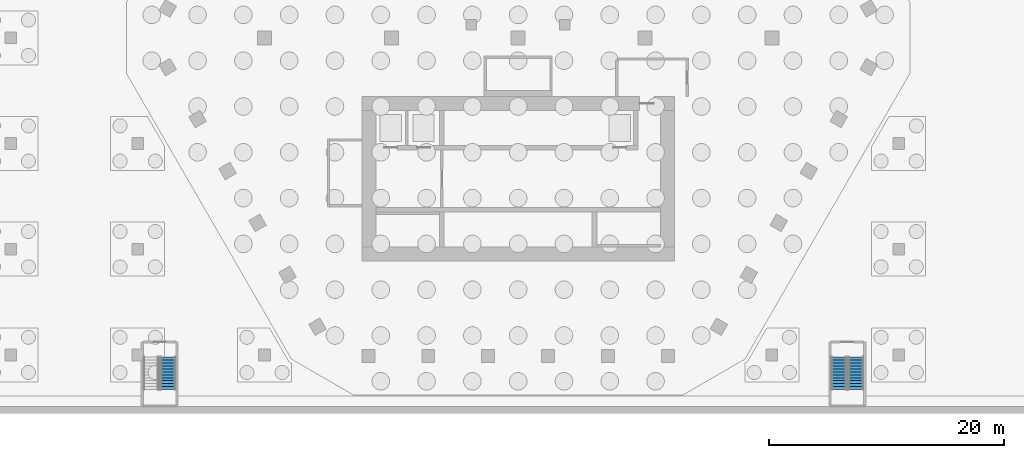
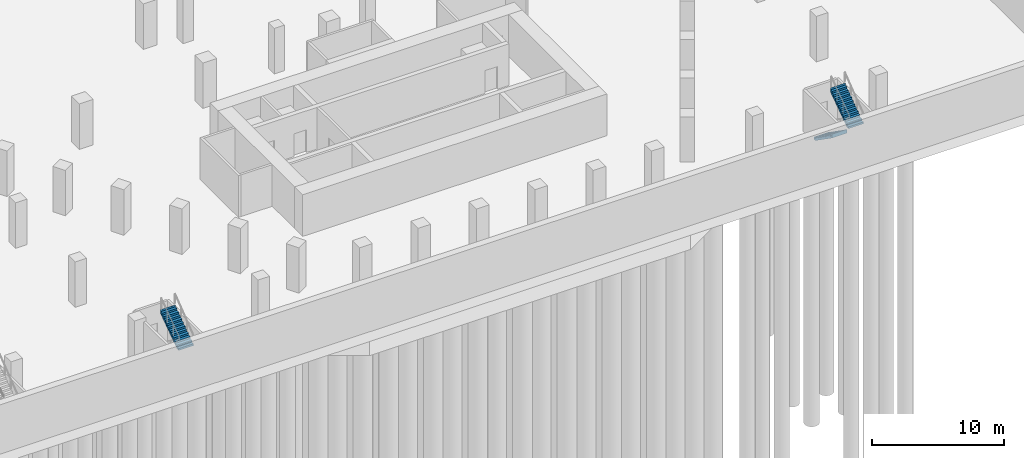
# One storey, part 13 of 21: 3 stair flights, 2 elements without a shape of their own.
"""IFC4 building model written with IfcOpenShell, lengths in metres."""

import ifcopenshell
import ifcopenshell.guid

model = None  # the IFC model being written
_history = None  # IfcOwnerHistory: only IFC2X3 demands one
_inside = {}  # id of a spatial element -> (the spatial element, [elements in it])
_under = {}  # id of a project, library or spatial element -> (it, [spatial elements below it])
_declared = {}  # id of a project -> (the project, [libraries it declares])
_typed = {}  # id of a type object -> (the type object, [elements of that type])
_made_of = {}  # id of a material, layer set ... -> (it, [elements and type objects made of it])


def new_model(schema):
    """Start an empty IFC model of exactly this schema.

    Asked for "IFC4X3", IfcOpenShell would pick the latest addendum, in which some entities
    have other attributes; the version numbers below select the first issue.
    IFC2X3 requires an IfcOwnerHistory on every rooted entity: one is made here for all.
    """
    global model, _history
    if schema == "IFC4X3":
        model = ifcopenshell.file(schema_version=(4, 3, 0, 0))
    else:
        model = ifcopenshell.file(schema=schema)
    _inside.clear()
    _under.clear()
    _declared.clear()
    _typed.clear()
    _made_of.clear()
    _history = None
    if model.schema == "IFC2X3":
        org = make("IfcOrganization", Name="unknown")
        user = make(
            "IfcPersonAndOrganization",
            ThePerson=make("IfcPerson", FamilyName="unknown"),
            TheOrganization=org,
        )
        app = make(
            "IfcApplication",
            ApplicationDeveloper=org,
            Version="unknown",
            ApplicationFullName="unknown",
            ApplicationIdentifier="unknown",
        )
        _history = make(
            "IfcOwnerHistory",
            OwningUser=user,
            OwningApplication=app,
            ChangeAction="ADDED",
            CreationDate=0,
        )
    return model


def make(cls, **values):
    """One entity of the class cls with the attributes given. An attribute that is None is left unset."""
    return model.create_entity(
        cls, **{name: value for name, value in values.items() if value is not None}
    )


def rooted(cls, **values):
    """An entity with a GlobalId (a new one), such as an element, a storey or a relation."""
    return make(cls, GlobalId=ifcopenshell.guid.new(), OwnerHistory=_history, **values)


def si_unit(unit_type, name, prefix=None):
    """IfcSIUnit, for example si_unit("LENGTHUNIT", "METRE", prefix="MILLI")."""
    return make("IfcSIUnit", UnitType=unit_type, Prefix=prefix, Name=name)


def assignment(units):
    """IfcUnitAssignment: the units of a project."""
    return None if units is None else make("IfcUnitAssignment", Units=units)


def point(xyz):
    """IfcCartesianPoint."""
    return None if xyz is None else make("IfcCartesianPoint", Coordinates=xyz)


def direction(xyz):
    """IfcDirection."""
    return None if xyz is None else make("IfcDirection", DirectionRatios=xyz)


def frame(location, z_axis=None, x_axis=None):
    """IfcAxis2Placement3D, a coordinate frame: its origin and axes. An axis left out is left unset."""
    return make(
        "IfcAxis2Placement3D",
        Location=point(location),
        Axis=direction(z_axis),
        RefDirection=direction(x_axis),
    )


def origin():
    """The frame at (0, 0, 0) with its axes left unset."""
    return frame((0.0, 0.0, 0.0))


def place(relative_to, where):
    """IfcLocalPlacement: puts the frame where relative to a parent placement (None: the world)."""
    return make(
        "IfcLocalPlacement", PlacementRelTo=relative_to, RelativePlacement=where
    )


def context(
    kind, dimensions, precision=None, world=None, true_north=None, identifier=None
):
    """IfcGeometricRepresentationContext, for example the 3D "Model" context."""
    return make(
        "IfcGeometricRepresentationContext",
        ContextIdentifier=identifier,
        ContextType=kind,
        CoordinateSpaceDimension=dimensions,
        Precision=precision,
        WorldCoordinateSystem=world,
        TrueNorth=true_north,
    )


def subcontext(parent, identifier, kind, view, scale=None):
    """IfcGeometricRepresentationSubContext, for example "Body" below "Model"."""
    return make(
        "IfcGeometricRepresentationSubContext",
        ContextIdentifier=identifier,
        ContextType=kind,
        ParentContext=parent,
        TargetScale=scale,
        TargetView=view,
    )


def project(units=None, contexts=None):
    """IfcProject with its units and contexts."""
    return rooted(
        "IfcProject",
        Name="project",
        RepresentationContexts=contexts,
        UnitsInContext=assignment(units),
    )


def spatial(cls, under=None, at=None, **own):
    """A site, building, storey or space (cls), placed at a placement, below another one or the project."""
    s = rooted(cls, ObjectPlacement=at, **own)
    if under is not None:
        _under.setdefault(under.id(), (under, []))[1].append(s)
    return s


def point_list(points):
    """IfcCartesianPointList2D or 3D."""
    cls = (
        "IfcCartesianPointList2D" if len(points[0]) == 2 else "IfcCartesianPointList3D"
    )
    return make(cls, CoordList=points)


def triangles(points, corners, closed=None, point_numbers=None):
    """IfcTriangulatedFaceSet: each triangle names its three corners, points numbered from 1."""
    return make(
        "IfcTriangulatedFaceSet",
        Coordinates=point_list(points),
        Closed=closed,
        CoordIndex=corners,
        PnIndex=point_numbers,
    )


def shape(context_of_items, identifier, shape_type, items):
    """IfcShapeRepresentation: the items that make up one representation, for example the "Body"."""
    return make(
        "IfcShapeRepresentation",
        ContextOfItems=context_of_items,
        RepresentationIdentifier=identifier,
        RepresentationType=shape_type,
        Items=items,
    )


def material(Name=None, Category=None):
    """IfcMaterial."""
    return make("IfcMaterial", Name=Name, Category=Category)


def made_of(thing, what):
    """Note that an element or type object is made of a material, layer set ...; save() writes the relation."""
    if what is not None:
        _made_of.setdefault(what.id(), (what, []))[1].append(thing)
    return thing


def type_object(cls, material=None, **own):
    """A type object (cls), such as IfcWallType, which elements share."""
    return made_of(rooted(cls, **own), material)


def element(
    cls,
    number,
    at=None,
    inside=None,
    cuts=None,
    type_object=None,
    material=None,
    context=None,
    identifier="Body",
    shape_type=None,
    held_by="IfcProductDefinitionShape",
    body=None,
    shapes=None,
    **own,
):
    """One element of the class cls, such as IfcWall. Its Tag is "e" and its number.

    at: its placement. inside: the storey or other place that contains it. cuts: it is an
    opening in that element (IfcRelVoidsElement). A single representation is given by context,
    identifier, shape_type and body (its items); several are given by shapes. held_by: the class
    of the entity that holds the representations. save() writes the other relations.
    """
    e = rooted(cls, Tag="e%d" % number, ObjectPlacement=at, **own)
    if body is not None:
        shapes = [shape(context, identifier, shape_type, body)]
    if shapes is not None:
        e.Representation = make(held_by, Representations=shapes)
    if inside is not None:
        _inside.setdefault(inside.id(), (inside, []))[1].append(e)
    if cuts is not None:
        rooted(
            "IfcRelVoidsElement", RelatingBuildingElement=cuts, RelatedOpeningElement=e
        )
    if type_object is not None:
        _typed.setdefault(type_object.id(), (type_object, []))[1].append(e)
    return made_of(e, material)


def aggregate(whole, parts):
    """IfcRelAggregates: a whole, such as a stair, and the parts it consists of."""
    return rooted("IfcRelAggregates", RelatingObject=whole, RelatedObjects=parts)


def save(model, path):
    """Write the relations noted so far, then the file.

    IfcRelAggregates (storeys below a building ...), IfcRelContainedInSpatialStructure (elements
    in a storey), IfcRelDefinesByType, IfcRelAssociatesMaterial and IfcRelDeclares: one each for
    every whole, place, type object, material and project.
    """
    for whole, parts in _under.values():
        aggregate(whole, parts)
    for where, things in _inside.values():
        rooted(
            "IfcRelContainedInSpatialStructure",
            RelatedElements=things,
            RelatingStructure=where,
        )
    for kind, things in _typed.values():
        rooted("IfcRelDefinesByType", RelatedObjects=things, RelatingType=kind)
    for what, things in _made_of.values():
        rooted("IfcRelAssociatesMaterial", RelatedObjects=things, RelatingMaterial=what)
    for by, libraries in _declared.values():
        rooted("IfcRelDeclares", RelatingContext=by, RelatedDefinitions=libraries)
    model.write(path)


model = new_model("IFC4")

# Units and contexts
model_context = context("Model", 3, precision=1e-05, world=origin(), true_north=direction((0.0, 1.0)))
body_context = subcontext(model_context, "Body", "Model", "MODEL_VIEW")
ifc_project = project(units=[si_unit("LENGTHUNIT", "METRE"), si_unit("AREAUNIT", "SQUARE_METRE"), si_unit("VOLUMEUNIT", "CUBIC_METRE"), si_unit("PLANEANGLEUNIT", "RADIAN"), si_unit("MASSUNIT", "GRAM", prefix="KILO")], contexts=[model_context])

# Site, building, storey
site_placement = place(None, origin())
site = spatial("IfcSite", under=ifc_project, at=site_placement, CompositionType="ELEMENT")
building_placement = place(site_placement, origin())
building = spatial("IfcBuilding", under=site, at=building_placement, Name="Beryl Residences", CompositionType="ELEMENT")
storey_placement = place(building_placement, frame((0.0, 0.0, -8.39990234375)))
storey = spatial("IfcBuildingStorey", under=building, at=storey_placement, Name="B2", CompositionType="ELEMENT", Elevation=-8.39990234375)

# Stair, stair flight
ifc_material_1 = material(Name="Concrete C40/50", Category="concrete")
stair_type = type_object("IfcStairType", Name="ST1 protected exit stair, half-turn, 1300 mm flights", PredefinedType="HALF_TURN_STAIR", material=ifc_material_1)
stair_1_placement = place(storey_placement, origin())
stair_1 = element("IfcStair", 1, at=stair_1_placement, inside=storey, type_object=stair_type, Name="B2 Basement exit stair 5", PredefinedType="HALF_TURN_STAIR")
ifc_material_2 = material(Name="Concrete C40/50", Category="concrete")
stair_flight_type = type_object("IfcStairFlightType", Name="SF1 stair flight 1300 mm", PredefinedType="STRAIGHT", material=ifc_material_2)
stair_flight_1_placement = place(storey_placement, frame((-29.800048828125, -29.949951171875, 2.099853515625), z_axis=(0.0, 0.0, 1.0), x_axis=(0.0, 1.0, 0.0)))
stair_flight_1 = element("IfcStairFlight", 2, at=stair_flight_1_placement, type_object=stair_flight_type, Name="BS-5 flight 2", NumberOfRisers=12, NumberOfTreads=11, PredefinedType="STRAIGHT", RiserHeight=0.175, TreadLength=0.25, context=body_context, shape_type="Tessellation", body=[
    triangles([(0.0, -0.64990234375, 0.0), (0.0, -0.324951171875, 0.0), (0.0, 0.0, 0.0), (0.0, 0.324951171875, 0.0), (0.0, 0.64990234375, 0.0), (0.0, -0.64990234375, 0.175048828125), (0.0, -0.324951171875, 0.175048828125), (0.0, 0.0, 0.175048828125), (0.0, 0.324951171875, 0.175048828125), (0.0, 0.64990234375, 0.175048828125), (0.25, -0.64990234375, 0.175048828125), (0.25, -0.324951171875, 0.175048828125), (0.25, 0.0, 0.175048828125), (0.25, 0.324951171875, 0.175048828125), (0.25, 0.64990234375, 0.175048828125), (0.25, -0.64990234375, 0.35009765625), (0.25, -0.324951171875, 0.35009765625), (0.25, 0.0, 0.35009765625), (0.25, 0.324951171875, 0.35009765625), (0.25, 0.64990234375, 0.35009765625), (0.5, -0.64990234375, 0.35009765625), (0.5, -0.324951171875, 0.35009765625), (0.5, 0.0, 0.35009765625), (0.5, 0.324951171875, 0.35009765625), (0.5, 0.64990234375, 0.35009765625), (0.5, -0.64990234375, 0.52490234375), (0.5, -0.324951171875, 0.52490234375), (0.5, 0.0, 0.52490234375), (0.5, 0.324951171875, 0.52490234375), (0.5, 0.64990234375, 0.52490234375), (0.75, -0.64990234375, 0.52490234375), (0.75, -0.324951171875, 0.52490234375), (0.75, 0.0, 0.52490234375), (0.75, 0.324951171875, 0.52490234375), (0.75, 0.64990234375, 0.52490234375), (0.75, -0.64990234375, 0.699951171875), (0.75, -0.324951171875, 0.699951171875), (0.75, 0.0, 0.699951171875), (0.75, 0.324951171875, 0.699951171875), (0.75, 0.64990234375, 0.699951171875), (1.0, -0.64990234375, 0.699951171875), (1.0, -0.324951171875, 0.699951171875), (1.0, 0.0, 0.699951171875), (1.0, 0.324951171875, 0.699951171875), (1.0, 0.64990234375, 0.699951171875), (1.0, -0.64990234375, 0.875), (1.0, -0.324951171875, 0.875), (1.0, 0.0, 0.875), (1.0, 0.324951171875, 0.875), (1.0, 0.64990234375, 0.875), (1.25, -0.64990234375, 0.875), (1.25, -0.324951171875, 0.875), (1.25, 0.0, 0.875), (1.25, 0.324951171875, 0.875), (1.25, 0.64990234375, 0.875), (1.25, -0.64990234375, 1.050048828125), (1.25, -0.324951171875, 1.050048828125), (1.25, 0.0, 1.050048828125), (1.25, 0.324951171875, 1.050048828125), (1.25, 0.64990234375, 1.050048828125), (1.5, -0.64990234375, 1.050048828125), (1.5, -0.324951171875, 1.050048828125), (1.5, 0.0, 1.050048828125), (1.5, 0.324951171875, 1.050048828125), (1.5, 0.64990234375, 1.050048828125), (1.5, -0.64990234375, 1.22509765625), (1.5, -0.324951171875, 1.22509765625), (1.5, 0.0, 1.22509765625), (1.5, 0.324951171875, 1.22509765625), (1.5, 0.64990234375, 1.22509765625), (1.75, -0.64990234375, 1.22509765625), (1.75, -0.324951171875, 1.22509765625), (1.75, 0.0, 1.22509765625), (1.75, 0.324951171875, 1.22509765625), (1.75, 0.64990234375, 1.22509765625), (1.75, -0.64990234375, 1.39990234375), (1.75, -0.324951171875, 1.39990234375), (1.75, 0.0, 1.39990234375), (1.75, 0.324951171875, 1.39990234375), (1.75, 0.64990234375, 1.39990234375), (2.0, -0.64990234375, 1.39990234375), (2.0, -0.324951171875, 1.39990234375), (2.0, 0.0, 1.39990234375), (2.0, 0.324951171875, 1.39990234375), (2.0, 0.64990234375, 1.39990234375), (2.0, -0.64990234375, 1.574951171875), (2.0, -0.324951171875, 1.574951171875), (2.0, 0.0, 1.574951171875), (2.0, 0.324951171875, 1.574951171875), (2.0, 0.64990234375, 1.574951171875), (2.25, -0.64990234375, 1.574951171875), (2.25, -0.324951171875, 1.574951171875), (2.25, 0.0, 1.574951171875), (2.25, 0.324951171875, 1.574951171875), (2.25, 0.64990234375, 1.574951171875), (2.25, -0.64990234375, 1.75), (2.25, -0.324951171875, 1.75), (2.25, 0.0, 1.75), (2.25, 0.324951171875, 1.75), (2.25, 0.64990234375, 1.75), (2.5, -0.64990234375, 1.75), (2.5, -0.324951171875, 1.75), (2.5, 0.0, 1.75), (2.5, 0.324951171875, 1.75), (2.5, 0.64990234375, 1.75), (2.5, -0.64990234375, 1.925048828125), (2.5, -0.324951171875, 1.925048828125), (2.5, 0.0, 1.925048828125), (2.5, 0.324951171875, 1.925048828125), (2.5, 0.64990234375, 1.925048828125), (2.75, -0.64990234375, 1.925048828125), (2.75, -0.324951171875, 1.925048828125), (2.75, 0.0, 1.925048828125), (2.75, 0.324951171875, 1.925048828125), (2.75, 0.64990234375, 1.925048828125), (2.75, -0.64990234375, 2.10009765625), (2.75, -0.324951171875, 2.10009765625), (2.75, 0.0, 2.10009765625), (2.75, 0.324951171875, 2.10009765625), (2.75, 0.64990234375, 2.10009765625), (2.7509765625, -0.64990234375, 2.10009765625), (2.7509765625, -0.324951171875, 2.10009765625), (2.7509765625, 0.0, 2.10009765625), (2.7509765625, 0.324951171875, 2.10009765625), (2.7509765625, 0.64990234375, 2.10009765625), (2.7509765625, -0.64990234375, 1.741943359375), (2.7509765625, -0.324951171875, 1.741943359375), (2.7509765625, 0.0, 1.741943359375), (2.7509765625, 0.324951171875, 1.741943359375), (2.7509765625, 0.64990234375, 1.741943359375), (0.262451171875, -0.64990234375, 0.0), (0.262451171875, -0.324951171875, 0.0), (0.262451171875, 0.0, 0.0), (0.262451171875, 0.324951171875, 0.0), (0.262451171875, 0.64990234375, 0.0)], [[1, 6, 7], [1, 7, 2], [2, 7, 8], [2, 8, 3], [3, 8, 9], [3, 9, 4], [4, 9, 10], [4, 10, 5], [6, 11, 12], [6, 12, 7], [7, 12, 13], [7, 13, 8], [8, 13, 14], [8, 14, 9], [9, 14, 15], [9, 15, 10], [11, 16, 17], [11, 17, 12], [12, 17, 18], [12, 18, 13], [13, 18, 19], [13, 19, 14], [14, 19, 20], [14, 20, 15], [16, 21, 22], [16, 22, 17], [17, 22, 23], [17, 23, 18], [18, 23, 24], [18, 24, 19], [19, 24, 25], [19, 25, 20], [21, 26, 27], [21, 27, 22], [22, 27, 28], [22, 28, 23], [23, 28, 29], [23, 29, 24], [24, 29, 30], [24, 30, 25], [26, 31, 32], [26, 32, 27], [27, 32, 33], [27, 33, 28], [28, 33, 34], [28, 34, 29], [29, 34, 35], [29, 35, 30], [31, 36, 37], [31, 37, 32], [32, 37, 38], [32, 38, 33], [33, 38, 39], [33, 39, 34], [34, 39, 40], [34, 40, 35], [36, 41, 42], [36, 42, 37], [37, 42, 43], [37, 43, 38], [38, 43, 44], [38, 44, 39], [39, 44, 45], [39, 45, 40], [41, 46, 47], [41, 47, 42], [42, 47, 48], [42, 48, 43], [43, 48, 49], [43, 49, 44], [44, 49, 50], [44, 50, 45], [46, 51, 52], [46, 52, 47], [47, 52, 53], [47, 53, 48], [48, 53, 54], [48, 54, 49], [49, 54, 55], [49, 55, 50], [51, 56, 57], [51, 57, 52], [52, 57, 58], [52, 58, 53], [53, 58, 59], [53, 59, 54], [54, 59, 60], [54, 60, 55], [56, 61, 62], [56, 62, 57], [57, 62, 63], [57, 63, 58], [58, 63, 64], [58, 64, 59], [59, 64, 65], [59, 65, 60], [61, 66, 67], [61, 67, 62], [62, 67, 68], [62, 68, 63], [63, 68, 69], [63, 69, 64], [64, 69, 70], [64, 70, 65], [66, 71, 72], [66, 72, 67], [67, 72, 73], [67, 73, 68], [68, 73, 74], [68, 74, 69], [69, 74, 75], [69, 75, 70], [71, 76, 77], [71, 77, 72], [72, 77, 78], [72, 78, 73], [73, 78, 79], [73, 79, 74], [74, 79, 80], [74, 80, 75], [76, 81, 82], [76, 82, 77], [77, 82, 83], [77, 83, 78], [78, 83, 84], [78, 84, 79], [79, 84, 85], [79, 85, 80], [81, 86, 87], [81, 87, 82], [82, 87, 88], [82, 88, 83], [83, 88, 89], [83, 89, 84], [84, 89, 90], [84, 90, 85], [86, 91, 92], [86, 92, 87], [87, 92, 93], [87, 93, 88], [88, 93, 94], [88, 94, 89], [89, 94, 95], [89, 95, 90], [91, 96, 97], [91, 97, 92], [92, 97, 98], [92, 98, 93], [93, 98, 99], [93, 99, 94], [94, 99, 100], [94, 100, 95], [96, 101, 102], [96, 102, 97], [97, 102, 103], [97, 103, 98], [98, 103, 104], [98, 104, 99], [99, 104, 105], [99, 105, 100], [101, 106, 107], [101, 107, 102], [102, 107, 108], [102, 108, 103], [103, 108, 109], [103, 109, 104], [104, 109, 110], [104, 110, 105], [106, 111, 112], [106, 112, 107], [107, 112, 113], [107, 113, 108], [108, 113, 114], [108, 114, 109], [109, 114, 115], [109, 115, 110], [111, 116, 117], [111, 117, 112], [112, 117, 118], [112, 118, 113], [113, 118, 119], [113, 119, 114], [114, 119, 120], [114, 120, 115], [116, 121, 122], [116, 122, 117], [117, 122, 123], [117, 123, 118], [118, 123, 124], [118, 124, 119], [119, 124, 125], [119, 125, 120], [121, 126, 127], [121, 127, 122], [122, 127, 128], [122, 128, 123], [123, 128, 129], [123, 129, 124], [124, 129, 130], [124, 130, 125], [126, 131, 132], [126, 132, 127], [127, 132, 133], [127, 133, 128], [128, 133, 134], [128, 134, 129], [129, 134, 135], [129, 135, 130], [131, 1, 2], [131, 2, 132], [132, 2, 3], [132, 3, 133], [133, 3, 4], [133, 4, 134], [134, 4, 5], [134, 5, 135], [1, 131, 126], [5, 130, 135], [126, 121, 116], [130, 120, 125], [126, 116, 111], [130, 115, 120], [126, 111, 106], [130, 110, 115], [126, 106, 101], [130, 105, 110], [126, 101, 96], [130, 100, 105], [126, 96, 91], [130, 95, 100], [91, 86, 81], [95, 85, 90], [126, 91, 81], [130, 85, 95], [81, 76, 71], [85, 75, 80], [126, 81, 71], [130, 75, 85], [71, 66, 61], [75, 65, 70], [126, 71, 61], [130, 65, 75], [61, 56, 51], [65, 55, 60], [126, 61, 51], [130, 55, 65], [51, 46, 41], [55, 45, 50], [126, 51, 41], [130, 45, 55], [41, 36, 31], [45, 35, 40], [126, 41, 31], [130, 35, 45], [1, 126, 31], [5, 35, 130], [31, 26, 21], [35, 25, 30], [21, 16, 11], [25, 15, 20], [31, 21, 11], [35, 15, 25], [1, 31, 11], [5, 15, 35], [11, 6, 1], [15, 5, 10]], closed=True),
])
aggregate(stair_1, [stair_flight_1])

# Stair, stair flights
stair_2_placement = place(storey_placement, origin())
stair_2 = element("IfcStair", 3, at=stair_2_placement, inside=storey, type_object=stair_type, Name="B2 Basement exit stair 6", PredefinedType="HALF_TURN_STAIR")
stair_flight_2_placement = place(storey_placement, frame((27.300048828125, -27.199951171875, 0.0), z_axis=(0.0, 0.0, 1.0), x_axis=(0.0, -1.0, 0.0)))
stair_flight_2 = element("IfcStairFlight", 4, at=stair_flight_2_placement, type_object=stair_flight_type, Name="BS-6 flight 1", NumberOfRisers=12, NumberOfTreads=11, PredefinedType="STRAIGHT", RiserHeight=0.175, TreadLength=0.25, context=body_context, shape_type="Tessellation", body=[
    triangles([(0.0, -0.64990234375, 0.0), (0.0, -0.324951171875, 0.0), (0.0, 0.0, 0.0), (0.0, 0.324951171875, 0.0), (0.0, 0.64990234375, 0.0), (0.0, -0.64990234375, 0.175048828125), (0.0, -0.324951171875, 0.175048828125), (0.0, 0.0, 0.175048828125), (0.0, 0.324951171875, 0.175048828125), (0.0, 0.64990234375, 0.175048828125), (0.25, -0.64990234375, 0.175048828125), (0.25, -0.324951171875, 0.175048828125), (0.25, 0.0, 0.175048828125), (0.25, 0.324951171875, 0.175048828125), (0.25, 0.64990234375, 0.175048828125), (0.25, -0.64990234375, 0.35009765625), (0.25, -0.324951171875, 0.35009765625), (0.25, 0.0, 0.35009765625), (0.25, 0.324951171875, 0.35009765625), (0.25, 0.64990234375, 0.35009765625), (0.5, -0.64990234375, 0.35009765625), (0.5, -0.324951171875, 0.35009765625), (0.5, 0.0, 0.35009765625), (0.5, 0.324951171875, 0.35009765625), (0.5, 0.64990234375, 0.35009765625), (0.5, -0.64990234375, 0.52490234375), (0.5, -0.324951171875, 0.52490234375), (0.5, 0.0, 0.52490234375), (0.5, 0.324951171875, 0.52490234375), (0.5, 0.64990234375, 0.52490234375), (0.75, -0.64990234375, 0.52490234375), (0.75, -0.324951171875, 0.52490234375), (0.75, 0.0, 0.52490234375), (0.75, 0.324951171875, 0.52490234375), (0.75, 0.64990234375, 0.52490234375), (0.75, -0.64990234375, 0.699951171875), (0.75, -0.324951171875, 0.699951171875), (0.75, 0.0, 0.699951171875), (0.75, 0.324951171875, 0.699951171875), (0.75, 0.64990234375, 0.699951171875), (1.0, -0.64990234375, 0.699951171875), (1.0, -0.324951171875, 0.699951171875), (1.0, 0.0, 0.699951171875), (1.0, 0.324951171875, 0.699951171875), (1.0, 0.64990234375, 0.699951171875), (1.0, -0.64990234375, 0.875), (1.0, -0.324951171875, 0.875), (1.0, 0.0, 0.875), (1.0, 0.324951171875, 0.875), (1.0, 0.64990234375, 0.875), (1.25, -0.64990234375, 0.875), (1.25, -0.324951171875, 0.875), (1.25, 0.0, 0.875), (1.25, 0.324951171875, 0.875), (1.25, 0.64990234375, 0.875), (1.25, -0.64990234375, 1.050048828125), (1.25, -0.324951171875, 1.050048828125), (1.25, 0.0, 1.050048828125), (1.25, 0.324951171875, 1.050048828125), (1.25, 0.64990234375, 1.050048828125), (1.5, -0.64990234375, 1.050048828125), (1.5, -0.324951171875, 1.050048828125), (1.5, 0.0, 1.050048828125), (1.5, 0.324951171875, 1.050048828125), (1.5, 0.64990234375, 1.050048828125), (1.5, -0.64990234375, 1.22509765625), (1.5, -0.324951171875, 1.22509765625), (1.5, 0.0, 1.22509765625), (1.5, 0.324951171875, 1.22509765625), (1.5, 0.64990234375, 1.22509765625), (1.75, -0.64990234375, 1.22509765625), (1.75, -0.324951171875, 1.22509765625), (1.75, 0.0, 1.22509765625), (1.75, 0.324951171875, 1.22509765625), (1.75, 0.64990234375, 1.22509765625), (1.75, -0.64990234375, 1.39990234375), (1.75, -0.324951171875, 1.39990234375), (1.75, 0.0, 1.39990234375), (1.75, 0.324951171875, 1.39990234375), (1.75, 0.64990234375, 1.39990234375), (2.0, -0.64990234375, 1.39990234375), (2.0, -0.324951171875, 1.39990234375), (2.0, 0.0, 1.39990234375), (2.0, 0.324951171875, 1.39990234375), (2.0, 0.64990234375, 1.39990234375), (2.0, -0.64990234375, 1.574951171875), (2.0, -0.324951171875, 1.574951171875), (2.0, 0.0, 1.574951171875), (2.0, 0.324951171875, 1.574951171875), (2.0, 0.64990234375, 1.574951171875), (2.25, -0.64990234375, 1.574951171875), (2.25, -0.324951171875, 1.574951171875), (2.25, 0.0, 1.574951171875), (2.25, 0.324951171875, 1.574951171875), (2.25, 0.64990234375, 1.574951171875), (2.25, -0.64990234375, 1.75), (2.25, -0.324951171875, 1.75), (2.25, 0.0, 1.75), (2.25, 0.324951171875, 1.75), (2.25, 0.64990234375, 1.75), (2.5, -0.64990234375, 1.75), (2.5, -0.324951171875, 1.75), (2.5, 0.0, 1.75), (2.5, 0.324951171875, 1.75), (2.5, 0.64990234375, 1.75), (2.5, -0.64990234375, 1.925048828125), (2.5, -0.324951171875, 1.925048828125), (2.5, 0.0, 1.925048828125), (2.5, 0.324951171875, 1.925048828125), (2.5, 0.64990234375, 1.925048828125), (2.75, -0.64990234375, 1.925048828125), (2.75, -0.324951171875, 1.925048828125), (2.75, 0.0, 1.925048828125), (2.75, 0.324951171875, 1.925048828125), (2.75, 0.64990234375, 1.925048828125), (2.75, -0.64990234375, 2.10009765625), (2.75, -0.324951171875, 2.10009765625), (2.75, 0.0, 2.10009765625), (2.75, 0.324951171875, 2.10009765625), (2.75, 0.64990234375, 2.10009765625), (2.7509765625, -0.64990234375, 2.10009765625), (2.7509765625, -0.324951171875, 2.10009765625), (2.7509765625, 0.0, 2.10009765625), (2.7509765625, 0.324951171875, 2.10009765625), (2.7509765625, 0.64990234375, 2.10009765625), (2.7509765625, -0.64990234375, 1.741943359375), (2.7509765625, -0.324951171875, 1.741943359375), (2.7509765625, 0.0, 1.741943359375), (2.7509765625, 0.324951171875, 1.741943359375), (2.7509765625, 0.64990234375, 1.741943359375), (0.262451171875, -0.64990234375, 0.0), (0.262451171875, -0.324951171875, 0.0), (0.262451171875, 0.0, 0.0), (0.262451171875, 0.324951171875, 0.0), (0.262451171875, 0.64990234375, 0.0)], [[1, 6, 7], [1, 7, 2], [2, 7, 8], [2, 8, 3], [3, 8, 9], [3, 9, 4], [4, 9, 10], [4, 10, 5], [6, 11, 12], [6, 12, 7], [7, 12, 13], [7, 13, 8], [8, 13, 14], [8, 14, 9], [9, 14, 15], [9, 15, 10], [11, 16, 17], [11, 17, 12], [12, 17, 18], [12, 18, 13], [13, 18, 19], [13, 19, 14], [14, 19, 20], [14, 20, 15], [16, 21, 22], [16, 22, 17], [17, 22, 23], [17, 23, 18], [18, 23, 24], [18, 24, 19], [19, 24, 25], [19, 25, 20], [21, 26, 27], [21, 27, 22], [22, 27, 28], [22, 28, 23], [23, 28, 29], [23, 29, 24], [24, 29, 30], [24, 30, 25], [26, 31, 32], [26, 32, 27], [27, 32, 33], [27, 33, 28], [28, 33, 34], [28, 34, 29], [29, 34, 35], [29, 35, 30], [31, 36, 37], [31, 37, 32], [32, 37, 38], [32, 38, 33], [33, 38, 39], [33, 39, 34], [34, 39, 40], [34, 40, 35], [36, 41, 42], [36, 42, 37], [37, 42, 43], [37, 43, 38], [38, 43, 44], [38, 44, 39], [39, 44, 45], [39, 45, 40], [41, 46, 47], [41, 47, 42], [42, 47, 48], [42, 48, 43], [43, 48, 49], [43, 49, 44], [44, 49, 50], [44, 50, 45], [46, 51, 52], [46, 52, 47], [47, 52, 53], [47, 53, 48], [48, 53, 54], [48, 54, 49], [49, 54, 55], [49, 55, 50], [51, 56, 57], [51, 57, 52], [52, 57, 58], [52, 58, 53], [53, 58, 59], [53, 59, 54], [54, 59, 60], [54, 60, 55], [56, 61, 62], [56, 62, 57], [57, 62, 63], [57, 63, 58], [58, 63, 64], [58, 64, 59], [59, 64, 65], [59, 65, 60], [61, 66, 67], [61, 67, 62], [62, 67, 68], [62, 68, 63], [63, 68, 69], [63, 69, 64], [64, 69, 70], [64, 70, 65], [66, 71, 72], [66, 72, 67], [67, 72, 73], [67, 73, 68], [68, 73, 74], [68, 74, 69], [69, 74, 75], [69, 75, 70], [71, 76, 77], [71, 77, 72], [72, 77, 78], [72, 78, 73], [73, 78, 79], [73, 79, 74], [74, 79, 80], [74, 80, 75], [76, 81, 82], [76, 82, 77], [77, 82, 83], [77, 83, 78], [78, 83, 84], [78, 84, 79], [79, 84, 85], [79, 85, 80], [81, 86, 87], [81, 87, 82], [82, 87, 88], [82, 88, 83], [83, 88, 89], [83, 89, 84], [84, 89, 90], [84, 90, 85], [86, 91, 92], [86, 92, 87], [87, 92, 93], [87, 93, 88], [88, 93, 94], [88, 94, 89], [89, 94, 95], [89, 95, 90], [91, 96, 97], [91, 97, 92], [92, 97, 98], [92, 98, 93], [93, 98, 99], [93, 99, 94], [94, 99, 100], [94, 100, 95], [96, 101, 102], [96, 102, 97], [97, 102, 103], [97, 103, 98], [98, 103, 104], [98, 104, 99], [99, 104, 105], [99, 105, 100], [101, 106, 107], [101, 107, 102], [102, 107, 108], [102, 108, 103], [103, 108, 109], [103, 109, 104], [104, 109, 110], [104, 110, 105], [106, 111, 112], [106, 112, 107], [107, 112, 113], [107, 113, 108], [108, 113, 114], [108, 114, 109], [109, 114, 115], [109, 115, 110], [111, 116, 117], [111, 117, 112], [112, 117, 118], [112, 118, 113], [113, 118, 119], [113, 119, 114], [114, 119, 120], [114, 120, 115], [116, 121, 122], [116, 122, 117], [117, 122, 123], [117, 123, 118], [118, 123, 124], [118, 124, 119], [119, 124, 125], [119, 125, 120], [121, 126, 127], [121, 127, 122], [122, 127, 128], [122, 128, 123], [123, 128, 129], [123, 129, 124], [124, 129, 130], [124, 130, 125], [126, 131, 132], [126, 132, 127], [127, 132, 133], [127, 133, 128], [128, 133, 134], [128, 134, 129], [129, 134, 135], [129, 135, 130], [131, 1, 2], [131, 2, 132], [132, 2, 3], [132, 3, 133], [133, 3, 4], [133, 4, 134], [134, 4, 5], [134, 5, 135], [1, 131, 126], [5, 130, 135], [126, 121, 116], [130, 120, 125], [126, 116, 111], [130, 115, 120], [126, 111, 106], [130, 110, 115], [126, 106, 101], [130, 105, 110], [126, 101, 96], [130, 100, 105], [126, 96, 91], [130, 95, 100], [91, 86, 81], [95, 85, 90], [126, 91, 81], [130, 85, 95], [81, 76, 71], [85, 75, 80], [126, 81, 71], [130, 75, 85], [71, 66, 61], [75, 65, 70], [126, 71, 61], [130, 65, 75], [61, 56, 51], [65, 55, 60], [126, 61, 51], [130, 55, 65], [51, 46, 41], [55, 45, 50], [126, 51, 41], [130, 45, 55], [41, 36, 31], [45, 35, 40], [126, 41, 31], [130, 35, 45], [1, 126, 31], [5, 35, 130], [31, 26, 21], [35, 25, 30], [21, 16, 11], [25, 15, 20], [31, 21, 11], [35, 15, 25], [1, 31, 11], [5, 15, 35], [11, 6, 1], [15, 5, 10]], closed=True),
])
stair_flight_3_placement = place(storey_placement, frame((28.75, -29.949951171875, 2.099853515625), z_axis=(0.0, 0.0, 1.0), x_axis=(0.0, 1.0, 0.0)))
stair_flight_3 = element("IfcStairFlight", 5, at=stair_flight_3_placement, type_object=stair_flight_type, Name="BS-6 flight 2", NumberOfRisers=12, NumberOfTreads=11, PredefinedType="STRAIGHT", RiserHeight=0.175, TreadLength=0.25, context=body_context, shape_type="Tessellation", body=[
    triangles([(0.0, -0.64990234375, 0.0), (0.0, -0.324951171875, 0.0), (0.0, 0.0, 0.0), (0.0, 0.324951171875, 0.0), (0.0, 0.64990234375, 0.0), (0.0, -0.64990234375, 0.175048828125), (0.0, -0.324951171875, 0.175048828125), (0.0, 0.0, 0.175048828125), (0.0, 0.324951171875, 0.175048828125), (0.0, 0.64990234375, 0.175048828125), (0.25, -0.64990234375, 0.175048828125), (0.25, -0.324951171875, 0.175048828125), (0.25, 0.0, 0.175048828125), (0.25, 0.324951171875, 0.175048828125), (0.25, 0.64990234375, 0.175048828125), (0.25, -0.64990234375, 0.35009765625), (0.25, -0.324951171875, 0.35009765625), (0.25, 0.0, 0.35009765625), (0.25, 0.324951171875, 0.35009765625), (0.25, 0.64990234375, 0.35009765625), (0.5, -0.64990234375, 0.35009765625), (0.5, -0.324951171875, 0.35009765625), (0.5, 0.0, 0.35009765625), (0.5, 0.324951171875, 0.35009765625), (0.5, 0.64990234375, 0.35009765625), (0.5, -0.64990234375, 0.52490234375), (0.5, -0.324951171875, 0.52490234375), (0.5, 0.0, 0.52490234375), (0.5, 0.324951171875, 0.52490234375), (0.5, 0.64990234375, 0.52490234375), (0.75, -0.64990234375, 0.52490234375), (0.75, -0.324951171875, 0.52490234375), (0.75, 0.0, 0.52490234375), (0.75, 0.324951171875, 0.52490234375), (0.75, 0.64990234375, 0.52490234375), (0.75, -0.64990234375, 0.699951171875), (0.75, -0.324951171875, 0.699951171875), (0.75, 0.0, 0.699951171875), (0.75, 0.324951171875, 0.699951171875), (0.75, 0.64990234375, 0.699951171875), (1.0, -0.64990234375, 0.699951171875), (1.0, -0.324951171875, 0.699951171875), (1.0, 0.0, 0.699951171875), (1.0, 0.324951171875, 0.699951171875), (1.0, 0.64990234375, 0.699951171875), (1.0, -0.64990234375, 0.875), (1.0, -0.324951171875, 0.875), (1.0, 0.0, 0.875), (1.0, 0.324951171875, 0.875), (1.0, 0.64990234375, 0.875), (1.25, -0.64990234375, 0.875), (1.25, -0.324951171875, 0.875), (1.25, 0.0, 0.875), (1.25, 0.324951171875, 0.875), (1.25, 0.64990234375, 0.875), (1.25, -0.64990234375, 1.050048828125), (1.25, -0.324951171875, 1.050048828125), (1.25, 0.0, 1.050048828125), (1.25, 0.324951171875, 1.050048828125), (1.25, 0.64990234375, 1.050048828125), (1.5, -0.64990234375, 1.050048828125), (1.5, -0.324951171875, 1.050048828125), (1.5, 0.0, 1.050048828125), (1.5, 0.324951171875, 1.050048828125), (1.5, 0.64990234375, 1.050048828125), (1.5, -0.64990234375, 1.22509765625), (1.5, -0.324951171875, 1.22509765625), (1.5, 0.0, 1.22509765625), (1.5, 0.324951171875, 1.22509765625), (1.5, 0.64990234375, 1.22509765625), (1.75, -0.64990234375, 1.22509765625), (1.75, -0.324951171875, 1.22509765625), (1.75, 0.0, 1.22509765625), (1.75, 0.324951171875, 1.22509765625), (1.75, 0.64990234375, 1.22509765625), (1.75, -0.64990234375, 1.39990234375), (1.75, -0.324951171875, 1.39990234375), (1.75, 0.0, 1.39990234375), (1.75, 0.324951171875, 1.39990234375), (1.75, 0.64990234375, 1.39990234375), (2.0, -0.64990234375, 1.39990234375), (2.0, -0.324951171875, 1.39990234375), (2.0, 0.0, 1.39990234375), (2.0, 0.324951171875, 1.39990234375), (2.0, 0.64990234375, 1.39990234375), (2.0, -0.64990234375, 1.574951171875), (2.0, -0.324951171875, 1.574951171875), (2.0, 0.0, 1.574951171875), (2.0, 0.324951171875, 1.574951171875), (2.0, 0.64990234375, 1.574951171875), (2.25, -0.64990234375, 1.574951171875), (2.25, -0.324951171875, 1.574951171875), (2.25, 0.0, 1.574951171875), (2.25, 0.324951171875, 1.574951171875), (2.25, 0.64990234375, 1.574951171875), (2.25, -0.64990234375, 1.75), (2.25, -0.324951171875, 1.75), (2.25, 0.0, 1.75), (2.25, 0.324951171875, 1.75), (2.25, 0.64990234375, 1.75), (2.5, -0.64990234375, 1.75), (2.5, -0.324951171875, 1.75), (2.5, 0.0, 1.75), (2.5, 0.324951171875, 1.75), (2.5, 0.64990234375, 1.75), (2.5, -0.64990234375, 1.925048828125), (2.5, -0.324951171875, 1.925048828125), (2.5, 0.0, 1.925048828125), (2.5, 0.324951171875, 1.925048828125), (2.5, 0.64990234375, 1.925048828125), (2.75, -0.64990234375, 1.925048828125), (2.75, -0.324951171875, 1.925048828125), (2.75, 0.0, 1.925048828125), (2.75, 0.324951171875, 1.925048828125), (2.75, 0.64990234375, 1.925048828125), (2.75, -0.64990234375, 2.10009765625), (2.75, -0.324951171875, 2.10009765625), (2.75, 0.0, 2.10009765625), (2.75, 0.324951171875, 2.10009765625), (2.75, 0.64990234375, 2.10009765625), (2.7509765625, -0.64990234375, 2.10009765625), (2.7509765625, -0.324951171875, 2.10009765625), (2.7509765625, 0.0, 2.10009765625), (2.7509765625, 0.324951171875, 2.10009765625), (2.7509765625, 0.64990234375, 2.10009765625), (2.7509765625, -0.64990234375, 1.741943359375), (2.7509765625, -0.324951171875, 1.741943359375), (2.7509765625, 0.0, 1.741943359375), (2.7509765625, 0.324951171875, 1.741943359375), (2.7509765625, 0.64990234375, 1.741943359375), (0.262451171875, -0.64990234375, 0.0), (0.262451171875, -0.324951171875, 0.0), (0.262451171875, 0.0, 0.0), (0.262451171875, 0.324951171875, 0.0), (0.262451171875, 0.64990234375, 0.0)], [[1, 6, 7], [1, 7, 2], [2, 7, 8], [2, 8, 3], [3, 8, 9], [3, 9, 4], [4, 9, 10], [4, 10, 5], [6, 11, 12], [6, 12, 7], [7, 12, 13], [7, 13, 8], [8, 13, 14], [8, 14, 9], [9, 14, 15], [9, 15, 10], [11, 16, 17], [11, 17, 12], [12, 17, 18], [12, 18, 13], [13, 18, 19], [13, 19, 14], [14, 19, 20], [14, 20, 15], [16, 21, 22], [16, 22, 17], [17, 22, 23], [17, 23, 18], [18, 23, 24], [18, 24, 19], [19, 24, 25], [19, 25, 20], [21, 26, 27], [21, 27, 22], [22, 27, 28], [22, 28, 23], [23, 28, 29], [23, 29, 24], [24, 29, 30], [24, 30, 25], [26, 31, 32], [26, 32, 27], [27, 32, 33], [27, 33, 28], [28, 33, 34], [28, 34, 29], [29, 34, 35], [29, 35, 30], [31, 36, 37], [31, 37, 32], [32, 37, 38], [32, 38, 33], [33, 38, 39], [33, 39, 34], [34, 39, 40], [34, 40, 35], [36, 41, 42], [36, 42, 37], [37, 42, 43], [37, 43, 38], [38, 43, 44], [38, 44, 39], [39, 44, 45], [39, 45, 40], [41, 46, 47], [41, 47, 42], [42, 47, 48], [42, 48, 43], [43, 48, 49], [43, 49, 44], [44, 49, 50], [44, 50, 45], [46, 51, 52], [46, 52, 47], [47, 52, 53], [47, 53, 48], [48, 53, 54], [48, 54, 49], [49, 54, 55], [49, 55, 50], [51, 56, 57], [51, 57, 52], [52, 57, 58], [52, 58, 53], [53, 58, 59], [53, 59, 54], [54, 59, 60], [54, 60, 55], [56, 61, 62], [56, 62, 57], [57, 62, 63], [57, 63, 58], [58, 63, 64], [58, 64, 59], [59, 64, 65], [59, 65, 60], [61, 66, 67], [61, 67, 62], [62, 67, 68], [62, 68, 63], [63, 68, 69], [63, 69, 64], [64, 69, 70], [64, 70, 65], [66, 71, 72], [66, 72, 67], [67, 72, 73], [67, 73, 68], [68, 73, 74], [68, 74, 69], [69, 74, 75], [69, 75, 70], [71, 76, 77], [71, 77, 72], [72, 77, 78], [72, 78, 73], [73, 78, 79], [73, 79, 74], [74, 79, 80], [74, 80, 75], [76, 81, 82], [76, 82, 77], [77, 82, 83], [77, 83, 78], [78, 83, 84], [78, 84, 79], [79, 84, 85], [79, 85, 80], [81, 86, 87], [81, 87, 82], [82, 87, 88], [82, 88, 83], [83, 88, 89], [83, 89, 84], [84, 89, 90], [84, 90, 85], [86, 91, 92], [86, 92, 87], [87, 92, 93], [87, 93, 88], [88, 93, 94], [88, 94, 89], [89, 94, 95], [89, 95, 90], [91, 96, 97], [91, 97, 92], [92, 97, 98], [92, 98, 93], [93, 98, 99], [93, 99, 94], [94, 99, 100], [94, 100, 95], [96, 101, 102], [96, 102, 97], [97, 102, 103], [97, 103, 98], [98, 103, 104], [98, 104, 99], [99, 104, 105], [99, 105, 100], [101, 106, 107], [101, 107, 102], [102, 107, 108], [102, 108, 103], [103, 108, 109], [103, 109, 104], [104, 109, 110], [104, 110, 105], [106, 111, 112], [106, 112, 107], [107, 112, 113], [107, 113, 108], [108, 113, 114], [108, 114, 109], [109, 114, 115], [109, 115, 110], [111, 116, 117], [111, 117, 112], [112, 117, 118], [112, 118, 113], [113, 118, 119], [113, 119, 114], [114, 119, 120], [114, 120, 115], [116, 121, 122], [116, 122, 117], [117, 122, 123], [117, 123, 118], [118, 123, 124], [118, 124, 119], [119, 124, 125], [119, 125, 120], [121, 126, 127], [121, 127, 122], [122, 127, 128], [122, 128, 123], [123, 128, 129], [123, 129, 124], [124, 129, 130], [124, 130, 125], [126, 131, 132], [126, 132, 127], [127, 132, 133], [127, 133, 128], [128, 133, 134], [128, 134, 129], [129, 134, 135], [129, 135, 130], [131, 1, 2], [131, 2, 132], [132, 2, 3], [132, 3, 133], [133, 3, 4], [133, 4, 134], [134, 4, 5], [134, 5, 135], [1, 131, 126], [5, 130, 135], [126, 121, 116], [130, 120, 125], [126, 116, 111], [130, 115, 120], [126, 111, 106], [130, 110, 115], [126, 106, 101], [130, 105, 110], [126, 101, 96], [130, 100, 105], [126, 96, 91], [130, 95, 100], [91, 86, 81], [95, 85, 90], [126, 91, 81], [130, 85, 95], [81, 76, 71], [85, 75, 80], [126, 81, 71], [130, 75, 85], [71, 66, 61], [75, 65, 70], [126, 71, 61], [130, 65, 75], [61, 56, 51], [65, 55, 60], [126, 61, 51], [130, 55, 65], [51, 46, 41], [55, 45, 50], [126, 51, 41], [130, 45, 55], [41, 36, 31], [45, 35, 40], [126, 41, 31], [130, 35, 45], [1, 126, 31], [5, 35, 130], [31, 26, 21], [35, 25, 30], [21, 16, 11], [25, 15, 20], [31, 21, 11], [35, 15, 25], [1, 31, 11], [5, 15, 35], [11, 6, 1], [15, 5, 10]], closed=True),
])
aggregate(stair_2, [stair_flight_2, stair_flight_3])

save(model, "model.ifc")
